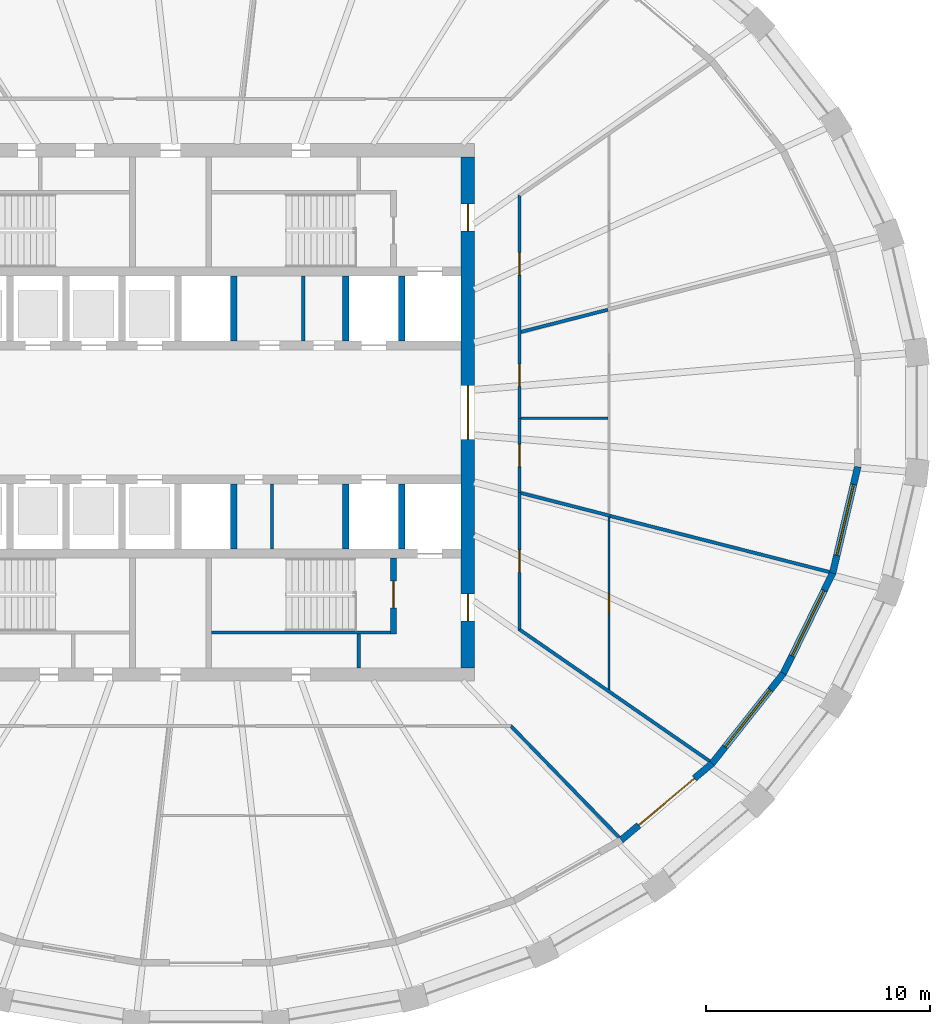
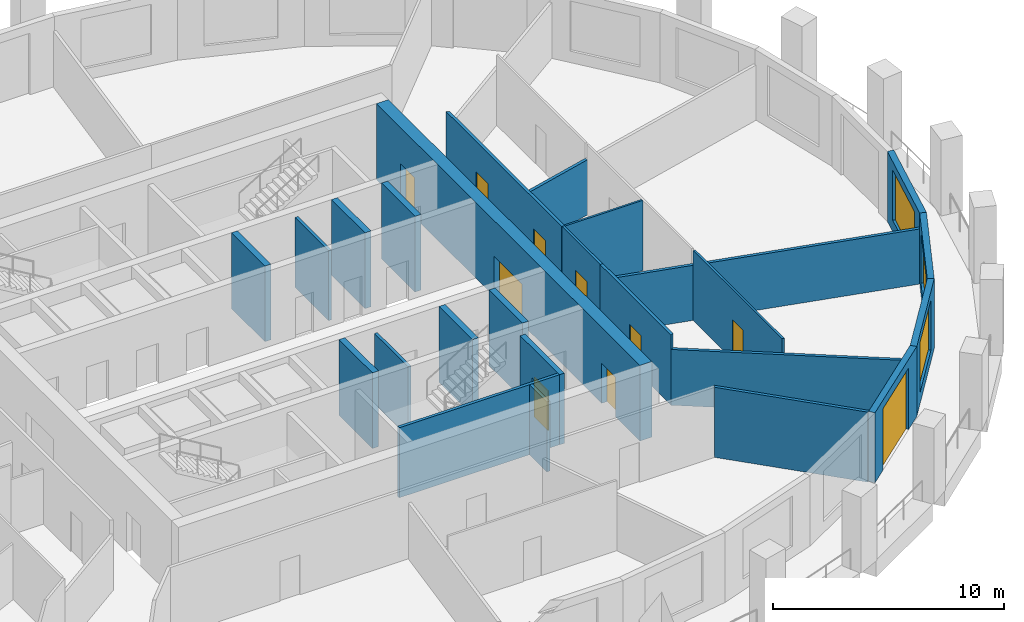
# One storey, part 5 of 11: 26 walls, 10 doors, 3 windows, 13 openings.
"""IFC4 building model written with IfcOpenShell, lengths in metres."""

from ifc_helpers import new_model, si_unit, direction, frame, frame_2d, origin, place, context, subcontext, project, spatial, polyline, rectangle, outline, extrude, material, layer, layer_set, type_object, element, fill, save


model = new_model("IFC4")

# Units and contexts
model_context = context("Model", 3, precision=1e-05, world=origin(), true_north=direction((0.0, 1.0)))
body_context = subcontext(model_context, "Body", "Model", "MODEL_VIEW")
ifc_project = project(units=[si_unit("LENGTHUNIT", "METRE"), si_unit("AREAUNIT", "SQUARE_METRE"), si_unit("VOLUMEUNIT", "CUBIC_METRE"), si_unit("PLANEANGLEUNIT", "RADIAN"), si_unit("MASSUNIT", "GRAM", prefix="KILO")], contexts=[model_context])

# Site, building, storey
site_placement = place(None, origin())
site = spatial("IfcSite", under=ifc_project, at=site_placement, CompositionType="ELEMENT")
building_placement = place(site_placement, origin())
building = spatial("IfcBuilding", under=site, at=building_placement, Name="Halqa Exchange Tower", CompositionType="ELEMENT")
storey_placement = place(building_placement, frame((0.0, 0.0, 218.89990234375)))
storey = spatial("IfcBuildingStorey", under=building, at=storey_placement, Name="L50", CompositionType="ELEMENT", Elevation=218.89990234375)

# Wall
ifc_material_1 = material(Name="Fire-rated gypsum board")
ifc_layer_1 = layer(ifc_material_1, 0.14990234375)
ifc_layer_set_1 = layer_set([ifc_layer_1], Name="Fire-rated gypsum board")
wall_type_1 = type_object("IfcWallType", Name="Fire partition EI 60 150", PredefinedType="PARTITIONING", material=ifc_layer_set_1)
wall_1_placement = place(storey_placement, frame((13.9677734375, -9.66748046875, 0.0), z_axis=(0.0, 0.0, 1.0), x_axis=(0.822219313141, -0.56917080134, 0.0)))
element("IfcWall", 1, at=wall_1_placement, inside=storey, type_object=wall_type_1, Name="L50-PWL-026", PredefinedType="PARTITIONING", context=body_context, shape_type="SweptSolid", body=[
    extrude(outline(polyline([(0.000244140625, -0.074951171875), (1.724365234375, -0.074951171875), (3.448486328125, -0.074951171875), (5.172607421875, -0.074951171875), (6.896728515625, -0.074951171875), (8.620849609375, -0.074951171875), (10.344970703125, -0.074951171875), (10.365234375, 0.000244140625), (10.36962890625, 0.066162109375), (10.36962890625, 0.074951171875), (8.511474609375, 0.074951171875), (6.653076171875, 0.074951171875), (4.794921875, 0.074951171875), (4.79248046875, 0.0732421875), (4.791259765625, 0.074951171875), (3.220458984375, 0.074951171875), (1.649658203125, 0.074951171875), (0.07861328125, 0.074951171875), (0.039306640625, -0.000244140625), (0.000244140625, -0.074951171875)])), origin(), (0.0, 0.0, 1.0), 2.947021484375),
])

# Wall, opening, door
wall_2_placement = place(storey_placement, frame((14.0, -3.580078125, 0.0), z_axis=(0.0, 0.0, 1.0), x_axis=(0.0, -1.0, 0.0)))
wall_2 = element("IfcWall", 2, at=wall_2_placement, inside=storey, type_object=wall_type_1, Name="L50-PWL-027", PredefinedType="PARTITIONING", context=body_context, shape_type="SweptSolid", body=[
    extrude(outline(polyline([(6.149169921875, -0.074951171875), (6.149169921875, -0.074951171875), (6.070556640625, 0.074951171875), (4.552978515625, 0.074951171875), (3.035400390625, 0.074951171875), (1.517578125, 0.074951171875), (0.0, 0.074951171875), (0.0, -0.074951171875), (1.537353515625, -0.074951171875), (3.07470703125, -0.074951171875), (4.61181640625, -0.074951171875), (6.149169921875, -0.074951171875)])), origin(), (0.0, 0.0, 1.0), 3.7001953125),
])
opening_1_placement = place(wall_2_placement, frame((2.554931640625, 0.0, 0.0)))
opening_1 = element("IfcOpeningElement", 3, at=opening_1_placement, cuts=wall_2, Name="Opening 15-11", PredefinedType="OPENING", context=body_context, shape_type="SweptSolid", body=[
    extrude(rectangle(XDim=1.0, YDim=2.10009765625, at=frame_2d((0.5, 1.050048828125))), frame((0.0, 0.0869140625, 0.0), z_axis=(0.0, -1.0, 0.0), x_axis=(1.0, 0.0, 0.0)), (0.0, 0.0, 1.0), 0.173828125),
])
ifc_material_2 = material(Name="Steel fire door leaf", Category="steel")
door_type_1 = type_object("IfcDoorType", Name="Fire door FD30S 1000 x 2100", OperationType="SINGLE_SWING_LEFT", PredefinedType="DOOR", material=ifc_material_2)
door_1_placement = place(opening_1_placement, origin())
door_1 = element("IfcDoor", 4, at=door_1_placement, inside=storey, type_object=door_type_1, Name="L50-IDR-011", OperationType="SINGLE_SWING_LEFT", OverallHeight=2.10009765625, OverallWidth=1.0, PredefinedType="DOOR", context=body_context, shape_type="SweptSolid", body=[
    extrude(rectangle(XDim=1.0, YDim=2.10009765625, at=frame_2d((0.5, 1.050048828125))), frame((0.0, 0.02490234375, 0.0), z_axis=(0.0, -1.0, 0.0), x_axis=(1.0, 0.0, 0.0)), (0.0, 0.0, 1.0), 0.050048828125),
])
fill(opening_1, door_1)

# Wall
wall_3_placement = place(storey_placement, frame((14.041748046875, -3.590576171875, 0.0), z_axis=(0.0, 0.0, 1.0), x_axis=(0.968991510142, -0.247094017071, 0.0)))
element("IfcWall", 5, at=wall_3_placement, inside=storey, type_object=wall_type_1, Name="L50-PWL-028", PredefinedType="PARTITIONING", context=body_context, shape_type="SweptSolid", body=[
    extrude(outline(polyline([(4.131103515625, 0.074951171875), (4.014892578125, 0.074951171875), (4.01416015625, 0.07470703125), (4.01416015625, 0.074951171875), (2.676025390625, 0.074951171875), (1.338134765625, 0.074951171875), (0.0, 0.074951171875), (0.0, 0.073974609375), (0.01513671875, 0.0146484375), (0.029541015625, 0.0185546875), (0.053466796875, -0.074951171875), (1.41259765625, -0.074951171875), (2.77197265625, -0.074951171875), (4.131103515625, -0.074951171875), (4.131103515625, 0.074951171875)])), origin(), (0.0, 0.0, 1.0), 2.91015625),
])

# Wall, openings, doors
wall_4_placement = place(storey_placement, frame((14.0, -0.260009765625, 0.0), z_axis=(0.0, 0.0, 1.0), x_axis=(0.0, 1.0, 0.0)))
wall_4 = element("IfcWall", 6, at=wall_4_placement, inside=storey, type_object=wall_type_1, Name="L50-PWL-030", PredefinedType="PARTITIONING", context=body_context, shape_type="SweptSolid", body=[
    extrude(outline(polyline([(0.0, -0.074951171875), (1.982177734375, -0.074951171875), (3.96435546875, -0.074951171875), (5.946533203125, -0.074951171875), (7.9287109375, -0.074951171875), (9.91064453125, -0.074951171875), (9.9892578125, 0.074951171875), (9.9892578125, 0.074951171875), (7.991455078125, 0.074951171875), (5.99365234375, 0.074951171875), (3.99560546875, 0.074951171875), (1.997802734375, 0.074951171875), (0.0, 0.074951171875), (0.0, -0.074951171875)])), origin(), (0.0, 0.0, 1.0), 3.7001953125),
])
opening_2_placement = place(wall_4_placement, frame((1.419921875, 0.0, 0.0)))
opening_2 = element("IfcOpeningElement", 7, at=opening_2_placement, cuts=wall_4, Name="Opening 15-13", PredefinedType="OPENING", context=body_context, shape_type="SweptSolid", body=[
    extrude(rectangle(XDim=1.0, YDim=2.10009765625, at=frame_2d((0.5, 1.050048828125))), frame((0.0, 0.0869140625, 0.0), z_axis=(0.0, -1.0, 0.0), x_axis=(1.0, 0.0, 0.0)), (0.0, 0.0, 1.0), 0.173828125),
])
opening_3_placement = place(wall_4_placement, frame((6.39501953125, 0.0, 0.0)))
opening_3 = element("IfcOpeningElement", 8, at=opening_3_placement, cuts=wall_4, Name="Opening 15-14", PredefinedType="OPENING", context=body_context, shape_type="SweptSolid", body=[
    extrude(rectangle(XDim=1.0, YDim=2.10009765625, at=frame_2d((0.5, 1.050048828125))), frame((0.0, 0.0869140625, 0.0), z_axis=(0.0, -1.0, 0.0), x_axis=(1.0, 0.0, 0.0)), (0.0, 0.0, 1.0), 0.173828125),
])
door_2_placement = place(opening_2_placement, frame((1.0, 0.0, 0.0), z_axis=(0.0, 0.0, 1.0), x_axis=(-1.0, 0.0, 0.0)))
door_2 = element("IfcDoor", 9, at=door_2_placement, inside=storey, type_object=door_type_1, Name="L50-IDR-013", OperationType="SINGLE_SWING_RIGHT", OverallHeight=2.10009765625, OverallWidth=1.0, PredefinedType="DOOR", context=body_context, shape_type="SweptSolid", body=[
    extrude(rectangle(XDim=1.0, YDim=2.10009765625, at=frame_2d((0.5, 1.050048828125))), frame((0.0, 0.02490234375, 0.0), z_axis=(0.0, -1.0, 0.0), x_axis=(1.0, 0.0, 0.0)), (0.0, 0.0, 1.0), 0.050048828125),
])
fill(opening_2, door_2)
door_3_placement = place(opening_3_placement, frame((1.0, 0.0, 0.0), z_axis=(0.0, 0.0, 1.0), x_axis=(-1.0, 0.0, 0.0)))
door_3 = element("IfcDoor", 10, at=door_3_placement, inside=storey, type_object=door_type_1, Name="L50-IDR-014", OperationType="SINGLE_SWING_LEFT", OverallHeight=2.10009765625, OverallWidth=1.0, PredefinedType="DOOR", context=body_context, shape_type="SweptSolid", body=[
    extrude(rectangle(XDim=1.0, YDim=2.10009765625, at=frame_2d((0.5, 1.050048828125))), frame((0.0, 0.02490234375, 0.0), z_axis=(0.0, -1.0, 0.0), x_axis=(1.0, 0.0, 0.0)), (0.0, 0.0, 1.0), 0.050048828125),
])
fill(opening_3, door_3)

# Walls
wall_5_placement = place(storey_placement, frame((14.056640625, 3.594482421875, 0.0), z_axis=(0.0, 0.0, 1.0), x_axis=(0.968992302027, 0.247090911634, 0.0)))
element("IfcWall", 11, at=wall_5_placement, inside=storey, type_object=wall_type_1, Name="L50-PWL-032", PredefinedType="PARTITIONING", context=body_context, shape_type="SweptSolid", body=[
    extrude(outline(polyline([(0.0, -0.074951171875), (1.99951171875, -0.074951171875), (3.998779296875, -0.074951171875), (3.999267578125, -0.073486328125), (4.005126953125, -0.074951171875), (4.0205078125, -0.074951171875), (4.0205078125, 0.074951171875), (2.029296875, 0.074951171875), (0.0380859375, 0.074951171875), (0.0, -0.07421875), (0.0, -0.074951171875)])), origin(), (0.0, 0.0, 1.0), 2.91015625),
])
wall_6_placement = place(storey_placement, frame((18.0419921875, -4.620849609375, 0.0), z_axis=(0.0, 0.0, 1.0), x_axis=(0.968898746972, -0.247457507698, 0.0)))
element("IfcWall", 12, at=wall_6_placement, inside=storey, type_object=wall_type_1, Name="L50-PWL-035", PredefinedType="PARTITIONING", context=body_context, shape_type="SweptSolid", body=[
    extrude(outline(polyline([(0.02734375, -0.074951171875), (1.705810546875, -0.074951171875), (3.384521484375, -0.074951171875), (5.06298828125, -0.074951171875), (6.741455078125, -0.074951171875), (8.419921875, -0.074951171875), (10.098388671875, -0.074951171875), (10.112548828125, -0.0078125), (10.112548828125, 0.074951171875), (8.42724609375, 0.074951171875), (6.74169921875, 0.074951171875), (5.056396484375, 0.074951171875), (3.370849609375, 0.074951171875), (1.685546875, 0.074951171875), (0.000244140625, 0.074951171875), (0.000244140625, -0.04541015625), (0.018798828125, -0.040771484375), (0.02734375, -0.074951171875)])), origin(), (0.0, 0.0, 1.0), 2.91015625),
])
wall_7_placement = place(storey_placement, frame((18.459228515625, -18.973388671875, 0.0), z_axis=(0.0, 0.0, 1.0), x_axis=(-0.697374409368, 0.716707006494, 0.0)))
element("IfcWall", 13, at=wall_7_placement, inside=storey, type_object=wall_type_1, Name="L50-PWL-039", PredefinedType="PARTITIONING", context=body_context, shape_type="SweptSolid", body=[
    extrude(outline(polyline([(0.0, -0.074951171875), (1.74267578125, -0.074951171875), (3.4853515625, -0.074951171875), (5.22802734375, -0.074951171875), (6.970947265625, -0.074951171875), (6.939208984375, 0.0), (6.907470703125, 0.074951171875), (5.18701171875, 0.074951171875), (3.46630859375, 0.074951171875), (1.745849609375, 0.074951171875), (0.025146484375, 0.074951171875), (0.0048828125, -0.002197265625), (0.0, -0.0693359375), (0.0, -0.074951171875)])), origin(), (0.0, 0.0, 1.0), 3.7001953125),
])

# Wall, opening, door
ifc_material_3 = material(Name="Fire-rated glazing", Category="glass")
ifc_layer_2 = layer(ifc_material_3, 0.1201171875)
ifc_layer_set_2 = layer_set([ifc_layer_2], Name="Fire-rated glazing")
wall_type_2 = type_object("IfcWallType", Name="Glazed fire partition EI 60 120", PredefinedType="PARTITIONING", material=ifc_layer_set_2)
wall_8_placement = place(storey_placement, frame((14.0, -0.260009765625, 0.0), z_axis=(0.0, 0.0, 1.0), x_axis=(0.0, -1.0, 0.0)))
wall_8 = element("IfcWall", 14, at=wall_8_placement, inside=storey, type_object=wall_type_2, Name="L50-PWL-029", PredefinedType="PARTITIONING", context=body_context, shape_type="SweptSolid", body=[
    extrude(rectangle(XDim=3.320068359375, YDim=0.1201171875, at=frame_2d((1.66015625, 0.0))), origin(), (0.0, 0.0, 1.0), 3.7001953125),
])
opening_4_placement = place(wall_8_placement, frame((1.159912109375, 0.0, 0.0)))
opening_4 = element("IfcOpeningElement", 15, at=opening_4_placement, cuts=wall_8, Name="Opening 15-12", PredefinedType="OPENING", context=body_context, shape_type="SweptSolid", body=[
    extrude(rectangle(XDim=1.0, YDim=2.10009765625, at=frame_2d((0.5, 1.050048828125))), frame((0.0, 0.072021484375, 0.0), z_axis=(0.0, -1.0, 0.0), x_axis=(1.0, 0.0, 0.0)), (0.0, 0.0, 1.0), 0.14404296875),
])
door_4_placement = place(opening_4_placement, origin())
door_4 = element("IfcDoor", 16, at=door_4_placement, inside=storey, type_object=door_type_1, Name="L50-IDR-012", OperationType="SINGLE_SWING_LEFT", OverallHeight=2.10009765625, OverallWidth=1.0, PredefinedType="DOOR", context=body_context, shape_type="SweptSolid", body=[
    extrude(rectangle(XDim=1.0, YDim=2.10009765625, at=frame_2d((0.5, 1.050048828125))), frame((0.0, 0.02490234375, 0.0), z_axis=(0.0, -1.0, 0.0), x_axis=(1.0, 0.0, 0.0)), (0.0, 0.0, 1.0), 0.050048828125),
])
fill(opening_4, door_4)

# Wall
ifc_material_4 = material(Name="Gypsum board")
ifc_layer_3 = layer(ifc_material_4, 0.10009765625)
ifc_layer_set_3 = layer_set([ifc_layer_3], Name="Gypsum board")
wall_type_3 = type_object("IfcWallType", Name="Partition 100 gypsum", PredefinedType="PARTITIONING", material=ifc_layer_set_3)
wall_9_placement = place(storey_placement, frame((14.060546875, -0.260009765625, 0.0), z_axis=(0.0, 0.0, 1.0), x_axis=(1.0, 0.0, 0.0)))
element("IfcWall", 17, at=wall_9_placement, inside=storey, type_object=wall_type_3, Name="L50-PWL-031", PredefinedType="PARTITIONING", context=body_context, shape_type="SweptSolid", body=[
    extrude(outline(polyline([(3.889404296875, 0.050048828125), (1.951904296875, 0.050048828125), (0.014404296875, 0.050048828125), (0.014404296875, 0.0), (0.0, 0.0), (0.0, -0.050048828125), (1.94482421875, -0.050048828125), (3.889404296875, -0.050048828125), (3.889404296875, 0.050048828125)])), origin(), (0.0, 0.0, 1.0), 3.7001953125),
])

# Wall, opening, door
wall_10_placement = place(storey_placement, frame((18.0, -4.6650390625, 0.0), z_axis=(0.0, 0.0, 1.0), x_axis=(0.0, -1.0, 0.0)))
wall_10 = element("IfcWall", 18, at=wall_10_placement, inside=storey, type_object=wall_type_3, Name="L50-PWL-034", PredefinedType="PARTITIONING", context=body_context, shape_type="SweptSolid", body=[
    extrude(outline(polyline([(0.0, -0.050048828125), (1.9169921875, -0.050048828125), (3.833984375, -0.050048828125), (5.7509765625, -0.050048828125), (7.66796875, -0.050048828125), (7.737060546875, 0.0498046875), (7.737060546875, 0.050048828125), (5.8115234375, 0.050048828125), (3.88623046875, 0.050048828125), (1.960693359375, 0.050048828125), (0.03515625, 0.050048828125), (0.02880859375, 0.02490234375), (0.0, 0.032470703125), (0.0, 0.03076171875), (0.01904296875, 0.02587890625), (0.0, -0.04833984375), (0.0, -0.050048828125)])), origin(), (0.0, 0.0, 1.0), 3.7001953125),
])
opening_5_placement = place(wall_10_placement, frame((3.419921875, 0.0, 0.0)))
opening_5 = element("IfcOpeningElement", 19, at=opening_5_placement, cuts=wall_10, Name="Opening 15-20", PredefinedType="OPENING", context=body_context, shape_type="SweptSolid", body=[
    extrude(rectangle(XDim=0.89990234375, YDim=2.10009765625, at=frame_2d((0.449951171875, 1.050048828125))), frame((0.0, 0.06201171875, 0.0), z_axis=(0.0, -1.0, 0.0), x_axis=(1.0, 0.0, 0.0)), (0.0, 0.0, 1.0), 0.1240234375),
])
ifc_material_5 = material(Name="Timber door leaf", Category="wood")
door_type_2 = type_object("IfcDoorType", Name="Door 900 x 2100", OperationType="SINGLE_SWING_LEFT", PredefinedType="DOOR", material=ifc_material_5)
door_5_placement = place(opening_5_placement, frame((0.89990234375, 0.0, 0.0), z_axis=(0.0, 0.0, 1.0), x_axis=(-1.0, 0.0, 0.0)))
door_5 = element("IfcDoor", 20, at=door_5_placement, inside=storey, type_object=door_type_2, Name="L50-IDR-020", OperationType="SINGLE_SWING_LEFT", OverallHeight=2.10009765625, OverallWidth=0.89990234375, PredefinedType="DOOR", context=body_context, shape_type="SweptSolid", body=[
    extrude(rectangle(XDim=0.89990234375, YDim=2.10009765625, at=frame_2d((0.449951171875, 1.050048828125))), frame((0.0, 0.02490234375, 0.0), z_axis=(0.0, -1.0, 0.0), x_axis=(1.0, 0.0, 0.0)), (0.0, 0.0, 1.0), 0.050048828125),
])
fill(opening_5, door_5)

# Walls
ifc_layer_4 = layer(ifc_material_4, 0.14990234375)
ifc_layer_set_4 = layer_set([ifc_layer_4], Name="Gypsum board")
wall_type_4 = type_object("IfcWallType", Name="Penthouse riser wall 150 gypsum", PredefinedType="PARTITIONING", material=ifc_layer_set_4)
wall_11_placement = place(storey_placement, frame((6.824951171875, -11.39990234375, 0.0), z_axis=(0.0, 0.0, 1.0), x_axis=(0.0, 1.0, 0.0)))
element("IfcWall", 21, at=wall_11_placement, inside=storey, type_object=wall_type_4, Name="Firefighting lobby west wall S", PredefinedType="PARTITIONING", context=body_context, shape_type="SweptSolid", body=[
    extrude(rectangle(XDim=1.5, YDim=0.14990234375, at=frame_2d((0.75, 0.0))), origin(), (0.0, 0.0, 1.0), 3.7001953125),
])
for number, where, z_axis, x_axis, name in (
    (22, (4.35009765625, 3.199951171875, 0.0), (0.0, 0.0, 1.0), (0.0, 1.0, 0.0), "Freed bay partition NE4.350"),
    (23, (2.949951171875, -6.10009765625, 0.0), (0.0, 0.0, 1.0), (0.0, 1.0, 0.0), "Freed bay partition SE2.950"),
):
    element("IfcWall", number, at=place(storey_placement, frame(where, z_axis=z_axis, x_axis=x_axis)), inside=storey, type_object=wall_type_4, Name=name, PredefinedType="PARTITIONING", context=body_context, shape_type="SweptSolid", body=[
        extrude(rectangle(XDim=2.900146484375, YDim=0.14990234375, at=frame_2d((1.4501953125, 0.0))), origin(), (0.0, 0.0, 1.0), 3.7001953125),
    ])
ifc_material_6 = material(Name="Concrete C60/75", Category="concrete")
ifc_layer_5 = layer(ifc_material_6, 0.300048828125)
ifc_layer_set_5 = layer_set([ifc_layer_5], Name="Concrete C60/75")
wall_type_5 = type_object("IfcWallType", Name="RC core wall 300", PredefinedType="SHEAR", material=ifc_layer_set_5)
for number, where, z_axis, x_axis, name in (
    (24, (1.25, 3.199951171875, 0.0), (0.0, 0.0, 1.0), (0.0, 1.0, 0.0), "Shaft divider N5"),
    (25, (6.25, 3.199951171875, 0.0), (0.0, 0.0, 1.0), (0.0, 1.0, 0.0), "Shaft divider N7"),
    (26, (8.75, 3.199951171875, 0.0), (0.0, 0.0, 1.0), (0.0, 1.0, 0.0), "Shaft divider N8"),
    (27, (1.25, -6.10009765625, 0.0), (0.0, 0.0, 1.0), (0.0, 1.0, 0.0), "Shaft divider S5"),
    (28, (6.25, -6.10009765625, 0.0), (0.0, 0.0, 1.0), (0.0, 1.0, 0.0), "Shaft divider S7"),
    (29, (8.75, -6.10009765625, 0.0), (0.0, 0.0, 1.0), (0.0, 1.0, 0.0), "Shaft divider S8"),
):
    element("IfcWall", number, at=place(storey_placement, frame(where, z_axis=z_axis, x_axis=x_axis)), inside=storey, type_object=wall_type_5, Name=name, PredefinedType="SHEAR", context=body_context, shape_type="SweptSolid", body=[
        extrude(rectangle(XDim=2.900146484375, YDim=0.300048828125, at=frame_2d((1.4501953125, 0.0))), origin(), (0.0, 0.0, 1.0), 4.0),
    ])

# Wall, openings, doors
ifc_material_7 = material(Name="Concrete C70/85", Category="concrete")
ifc_layer_6 = layer(ifc_material_7, 0.60009765625)
ifc_layer_set_6 = layer_set([ifc_layer_6], Name="Concrete C70/85")
wall_type_6 = type_object("IfcWallType", Name="RC core wall 600 C70/85", PredefinedType="SHEAR", material=ifc_layer_set_6)
wall_12_placement = place(storey_placement, frame((11.699951171875, -11.39990234375, 0.0), z_axis=(0.0, 0.0, 1.0), x_axis=(0.0, 1.0, 0.0)))
wall_12 = element("IfcWall", 30, at=wall_12_placement, inside=storey, type_object=wall_type_6, Name="Core wall east", PredefinedType="SHEAR", context=body_context, shape_type="SweptSolid", body=[
    extrude(rectangle(XDim=22.7998046875, YDim=0.60009765625, at=frame_2d((11.39990234375, 0.0))), origin(), (0.0, 0.0, 1.0), 4.0),
])
opening_6_placement = place(wall_12_placement, frame((10.199951171875, 0.0, 0.0)))
opening_6 = element("IfcOpeningElement", 31, at=opening_6_placement, cuts=wall_12, Name="Opening T15-C14", PredefinedType="OPENING", context=body_context, shape_type="SweptSolid", body=[
    extrude(rectangle(XDim=2.39990234375, YDim=2.10009765625, at=frame_2d((1.199951171875, 1.050048828125))), frame((0.0, 0.31201171875, 0.0), z_axis=(0.0, -1.0, 0.0), x_axis=(1.0, 0.0, 0.0)), (0.0, 0.0, 1.0), 0.6240234375),
])
opening_7_placement = place(wall_12_placement, frame((19.5, 0.0, 0.0)))
opening_7 = element("IfcOpeningElement", 32, at=opening_7_placement, cuts=wall_12, Name="Opening T15-C19", PredefinedType="OPENING", context=body_context, shape_type="SweptSolid", body=[
    extrude(rectangle(XDim=1.199951171875, YDim=2.10009765625, at=frame_2d((0.60009765625, 1.050048828125))), frame((0.0, 0.31201171875, 0.0), z_axis=(0.0, -1.0, 0.0), x_axis=(1.0, 0.0, 0.0)), (0.0, 0.0, 1.0), 0.6240234375),
])
opening_8_placement = place(wall_12_placement, frame((2.10009765625, 0.0, 0.0)))
opening_8 = element("IfcOpeningElement", 33, at=opening_8_placement, cuts=wall_12, Name="Opening T15-C20", PredefinedType="OPENING", context=body_context, shape_type="SweptSolid", body=[
    extrude(rectangle(XDim=1.199951171875, YDim=2.10009765625, at=frame_2d((0.60009765625, 1.050048828125))), frame((0.0, 0.31201171875, 0.0), z_axis=(0.0, -1.0, 0.0), x_axis=(1.0, 0.0, 0.0)), (0.0, 0.0, 1.0), 0.6240234375),
])
door_type_3 = type_object("IfcDoorType", Name="Firefighting lobby door FD90 1200 x 2100", OperationType="SINGLE_SWING_RIGHT", PredefinedType="DOOR", material=ifc_material_2)
door_6_placement = place(opening_7_placement, origin())
door_6 = element("IfcDoor", 34, at=door_6_placement, inside=storey, type_object=door_type_3, Name="Firefighting lobby door", OperationType="SINGLE_SWING_RIGHT", OverallHeight=2.10009765625, OverallWidth=1.199951171875, PredefinedType="DOOR", context=body_context, shape_type="SweptSolid", body=[
    extrude(rectangle(XDim=1.199951171875, YDim=2.10009765625, at=frame_2d((0.60009765625, 1.050048828125))), frame((0.0, 0.02490234375, 0.0), z_axis=(0.0, -1.0, 0.0), x_axis=(1.0, 0.0, 0.0)), (0.0, 0.0, 1.0), 0.050048828125),
])
fill(opening_7, door_6)
door_7_placement = place(opening_8_placement, origin())
door_7 = element("IfcDoor", 35, at=door_7_placement, inside=storey, type_object=door_type_3, Name="Firefighting lobby door", OperationType="SINGLE_SWING_LEFT", OverallHeight=2.10009765625, OverallWidth=1.199951171875, PredefinedType="DOOR", context=body_context, shape_type="SweptSolid", body=[
    extrude(rectangle(XDim=1.199951171875, YDim=2.10009765625, at=frame_2d((0.60009765625, 1.050048828125))), frame((0.0, 0.02490234375, 0.0), z_axis=(0.0, -1.0, 0.0), x_axis=(1.0, 0.0, 0.0)), (0.0, 0.0, 1.0), 0.050048828125),
])
fill(opening_8, door_7)
door_type_4 = type_object("IfcDoorType", Name="Lobby double door FD60 2400 x 2100", OperationType="DOUBLE_DOOR_SINGLE_SWING", PredefinedType="DOOR", material=ifc_material_2)
door_8_placement = place(opening_6_placement, origin())
door_8 = element("IfcDoor", 36, at=door_8_placement, inside=storey, type_object=door_type_4, Name="Lift lobby double door", OperationType="DOUBLE_DOOR_SINGLE_SWING", OverallHeight=2.10009765625, OverallWidth=2.39990234375, PredefinedType="DOOR", context=body_context, shape_type="SweptSolid", body=[
    extrude(rectangle(XDim=2.39990234375, YDim=2.10009765625, at=frame_2d((1.199951171875, 1.050048828125))), frame((0.0, 0.02490234375, 0.0), z_axis=(0.0, -1.0, 0.0), x_axis=(1.0, 0.0, 0.0)), (0.0, 0.0, 1.0), 0.050048828125),
])
fill(opening_6, door_8)

# Wall
ifc_material_8 = material(Name="Concrete C30/37", Category="concrete")
ifc_layer_7 = layer(ifc_material_8, 0.14990234375)
ifc_layer_set_7 = layer_set([ifc_layer_7], Name="Concrete C30/37")
wall_type_7 = type_object("IfcWallType", Name="RC stair wall 150 C30/37", PredefinedType="SHEAR", material=ifc_layer_set_7)
wall_13_placement = place(storey_placement, frame((0.25, -9.824951171875, 0.0), z_axis=(0.0, 0.0, 1.0), x_axis=(1.0, 0.0, 0.0)))
element("IfcWall", 37, at=wall_13_placement, inside=storey, type_object=wall_type_7, Name="Stair ST2 north wall S", PredefinedType="SHEAR", context=body_context, shape_type="SweptSolid", body=[
    extrude(rectangle(XDim=8.0, YDim=0.14990234375, at=frame_2d((4.0, 0.0))), origin(), (0.0, 0.0, 1.0), 3.7001953125),
])

# Wall, opening, door
ifc_layer_8 = layer(ifc_material_8, 0.25)
ifc_layer_set_8 = layer_set([ifc_layer_8], Name="Concrete C30/37")
wall_type_8 = type_object("IfcWallType", Name="RC stair wall 250 C30/37", PredefinedType="SHEAR", material=ifc_layer_set_8)
wall_14_placement = place(storey_placement, frame((8.375, -9.89990234375, 0.0), z_axis=(0.0, 0.0, 1.0), x_axis=(0.0, 1.0, 0.0)))
wall_14 = element("IfcWall", 38, at=wall_14_placement, inside=storey, type_object=wall_type_8, Name="Stair ST2 east wall S", PredefinedType="SHEAR", context=body_context, shape_type="SweptSolid", body=[
    extrude(rectangle(XDim=3.39990234375, YDim=0.25, at=frame_2d((1.699951171875, 0.0))), origin(), (0.0, 0.0, 1.0), 3.7001953125),
])
opening_9_placement = place(wall_14_placement, frame((1.175048828125, 0.0, 0.0)))
opening_9 = element("IfcOpeningElement", 39, at=opening_9_placement, cuts=wall_14, Name="Opening T15-C18", PredefinedType="OPENING", context=body_context, shape_type="SweptSolid", body=[
    extrude(rectangle(XDim=1.199951171875, YDim=2.10009765625, at=frame_2d((0.60009765625, 1.050048828125))), frame((0.0, 0.136962890625, 0.0), z_axis=(0.0, -1.0, 0.0), x_axis=(1.0, 0.0, 0.0)), (0.0, 0.0, 1.0), 0.27392578125),
])
door_type_5 = type_object("IfcDoorType", Name="Stair door FD90 1200 x 2100", OperationType="SINGLE_SWING_LEFT", PredefinedType="DOOR", material=ifc_material_2)
door_9_placement = place(opening_9_placement, origin())
door_9 = element("IfcDoor", 40, at=door_9_placement, inside=storey, type_object=door_type_5, Name="Stair door ST4", OperationType="SINGLE_SWING_RIGHT", OverallHeight=2.10009765625, OverallWidth=1.199951171875, PredefinedType="DOOR", context=body_context, shape_type="SweptSolid", body=[
    extrude(rectangle(XDim=1.199951171875, YDim=2.10009765625, at=frame_2d((0.60009765625, 1.050048828125))), frame((0.0, 0.02490234375, 0.0), z_axis=(0.0, -1.0, 0.0), x_axis=(1.0, 0.0, 0.0)), (0.0, 0.0, 1.0), 0.050048828125),
])
fill(opening_9, door_9)

ifc_material_9 = material(Name="Limestone cladding", Category="masonry")
ifc_layer_9 = layer(ifc_material_9, 0.0400390625)
ifc_material_10 = material(Name="Ventilated cavity")
ifc_layer_10 = layer(ifc_material_10, 0.030029296875, ventilated=True)
ifc_material_11 = material(Name="Mineral wool insulation")
ifc_layer_11 = layer(ifc_material_11, 0.10009765625)
ifc_layer_12 = layer(ifc_material_8, 0.10009765625)
ifc_material_12 = material(Name="Internal plaster")
ifc_layer_13 = layer(ifc_material_12, 0.030029296875)
ifc_layer_set_9 = layer_set([ifc_layer_9, ifc_layer_10, ifc_layer_11, ifc_layer_12, ifc_layer_13], Name="Stone-faced insulated wall 300")
wall_type_9 = type_object("IfcWallType", Name="Stone-faced insulated wall 300", PredefinedType="STANDARD", material=ifc_layer_set_9)
wall_15_placement = place(storey_placement, frame((18.54345703125, -19.09228515625, 0.0), z_axis=(0.0, 0.0, 1.0), x_axis=(0.764397795062, 0.644744919255, 0.0)))
wall_15 = element("IfcWall", 41, at=wall_15_placement, inside=storey, type_object=wall_type_9, Name="Glass-line wall 28", PredefinedType="STANDARD", context=body_context, shape_type="SweptSolid", body=[
    extrude(outline(polyline([(-0.01416015625, -0.14990234375), (5.3203125, -0.14990234375), (5.2900390625, 0.14990234375), (0.01416015625, 0.14990234375), (-0.01416015625, -0.14990234375)])), origin(), (0.0, 0.0, 1.0), 3.7001953125),
])
opening_10_placement = place(wall_15_placement, frame((1.027587890625, 0.0, 0.0)))
opening_10 = element("IfcOpeningElement", 42, at=opening_10_placement, cuts=wall_15, Name="Opening LG-F3-07", PredefinedType="OPENING", context=body_context, shape_type="SweptSolid", body=[
    extrude(rectangle(XDim=3.25, YDim=3.25, at=frame_2d((1.625, 1.625))), frame((0.0, 0.162109375, 0.0), z_axis=(0.0, -1.0, 0.0), x_axis=(1.0, 0.0, 0.0)), (0.0, 0.0, 1.0), 0.323974609375),
])
ifc_material_13 = material(Name="Clear low-emissivity glass in aluminium frame", Category="aluminium")
door_type_6 = type_object("IfcDoorType", Name="Glazed sliding loggia door 3250 x 3250", OperationType="DOUBLE_DOOR_SLIDING", PredefinedType="DOOR", material=ifc_material_13)
door_10_placement = place(opening_10_placement, origin())
door_10 = element("IfcDoor", 43, at=door_10_placement, inside=storey, type_object=door_type_6, Name="Loggia door 7", OperationType="DOUBLE_DOOR_SLIDING", OverallHeight=3.25, OverallWidth=3.25, PredefinedType="DOOR", context=body_context, shape_type="SweptSolid", body=[
    extrude(rectangle(XDim=3.25, YDim=3.25, at=frame_2d((1.625, 1.625))), frame((0.0, 0.02490234375, 0.0), z_axis=(0.0, -1.0, 0.0), x_axis=(1.0, 0.0, 0.0)), (0.0, 0.0, 1.0), 0.050048828125),
])
fill(opening_10, door_10)

# Wall, opening, window
wall_16_placement = place(storey_placement, frame((22.5986328125, -15.671875, 0.0), z_axis=(0.0, 0.0, 1.0), x_axis=(0.621017151557, 0.783796974651, 0.0)))
wall_16 = element("IfcWall", 44, at=wall_16_placement, inside=storey, type_object=wall_type_9, Name="Glass-line wall 29", PredefinedType="STANDARD", context=body_context, shape_type="SweptSolid", body=[
    extrude(outline(polyline([(-0.01513671875, -0.14990234375), (5.14990234375, -0.14990234375), (5.11767578125, 0.14990234375), (0.01513671875, 0.14990234375), (-0.01513671875, -0.14990234375)])), origin(), (0.0, 0.0, 1.0), 3.7001953125),
])
opening_11_placement = place(wall_16_placement, frame((0.94189453125, 0.0, 0.60009765625)))
opening_11 = element("IfcOpeningElement", 45, at=opening_11_placement, cuts=wall_16, Name="Opening W-F3-29", PredefinedType="OPENING", context=body_context, shape_type="SweptSolid", body=[
    extrude(rectangle(XDim=3.25, YDim=2.64990234375, at=frame_2d((1.625, 1.324951171875))), frame((0.0, 0.162109375, 0.0), z_axis=(0.0, -1.0, 0.0), x_axis=(1.0, 0.0, 0.0)), (0.0, 0.0, 1.0), 0.323974609375),
])
window_type = type_object("IfcWindowType", Name="Fixed clear glazed window 3250 x 2650", PartitioningType="TRIPLE_PANEL_VERTICAL", PredefinedType="WINDOW", material=ifc_material_13)
window_1_placement = place(opening_11_placement, origin())
window_1 = element("IfcWindow", 46, at=window_1_placement, inside=storey, type_object=window_type, Name="Window 3", OverallHeight=2.64990234375, OverallWidth=3.25, PartitioningType="TRIPLE_PANEL_VERTICAL", PredefinedType="WINDOW", context=body_context, shape_type="SweptSolid", body=[
    extrude(rectangle(XDim=3.25, YDim=2.64990234375, at=frame_2d((1.625, 1.324951171875))), frame((0.0, 0.030029296875, 0.0), z_axis=(0.0, -1.0, 0.0), x_axis=(1.0, 0.0, 0.0)), (0.0, 0.0, 1.0), 0.06005859375),
])
fill(opening_11, window_1)

wall_17_placement = place(storey_placement, frame((25.786865234375, -11.64794921875, 0.0), z_axis=(0.0, 0.0, 1.0), x_axis=(0.440795186599, 0.897607711348, 0.0)))
wall_17 = element("IfcWall", 47, at=wall_17_placement, inside=storey, type_object=wall_type_9, Name="Glass-line wall 30", PredefinedType="STANDARD", context=body_context, shape_type="SweptSolid", body=[
    extrude(outline(polyline([(-0.01611328125, -0.14990234375), (5.0009765625, -0.14990234375), (4.96728515625, 0.14990234375), (0.01611328125, 0.14990234375), (-0.01611328125, -0.14990234375)])), origin(), (0.0, 0.0, 1.0), 3.7001953125),
])
opening_12_placement = place(wall_17_placement, frame((0.8671875, 0.0, 0.60009765625)))
opening_12 = element("IfcOpeningElement", 48, at=opening_12_placement, cuts=wall_17, Name="Opening W-F3-30", PredefinedType="OPENING", context=body_context, shape_type="SweptSolid", body=[
    extrude(rectangle(XDim=3.25, YDim=2.64990234375, at=frame_2d((1.625, 1.324951171875))), frame((0.0, 0.162109375, 0.0), z_axis=(0.0, -1.0, 0.0), x_axis=(1.0, 0.0, 0.0)), (0.0, 0.0, 1.0), 0.323974609375),
])
window_2_placement = place(opening_12_placement, origin())
window_2 = element("IfcWindow", 49, at=window_2_placement, inside=storey, type_object=window_type, Name="Window 3", OverallHeight=2.64990234375, OverallWidth=3.25, PartitioningType="TRIPLE_PANEL_VERTICAL", PredefinedType="WINDOW", context=body_context, shape_type="SweptSolid", body=[
    extrude(rectangle(XDim=3.25, YDim=2.64990234375, at=frame_2d((1.625, 1.324951171875))), frame((0.0, 0.030029296875, 0.0), z_axis=(0.0, -1.0, 0.0), x_axis=(1.0, 0.0, 0.0)), (0.0, 0.0, 1.0), 0.06005859375),
])
fill(opening_12, window_2)

wall_18_placement = place(storey_placement, frame((27.98388671875, -7.174072265625, 0.0), z_axis=(0.0, 0.0, 1.0), x_axis=(0.229546618766, 0.97329766763, 0.0)))
wall_18 = element("IfcWall", 50, at=wall_18_placement, inside=storey, type_object=wall_type_9, Name="Glass-line wall 31", PredefinedType="STANDARD", context=body_context, shape_type="SweptSolid", body=[
    extrude(outline(polyline([(-0.016845703125, -0.14990234375), (4.899169921875, -0.14990234375), (4.864501953125, 0.14990234375), (0.016845703125, 0.14990234375), (-0.016845703125, -0.14990234375)])), origin(), (0.0, 0.0, 1.0), 3.7001953125),
])
opening_13_placement = place(wall_18_placement, frame((0.81591796875, 0.0, 0.60009765625)))
opening_13 = element("IfcOpeningElement", 51, at=opening_13_placement, cuts=wall_18, Name="Opening W-F3-31", PredefinedType="OPENING", context=body_context, shape_type="SweptSolid", body=[
    extrude(rectangle(XDim=3.25, YDim=2.64990234375, at=frame_2d((1.625, 1.324951171875))), frame((0.0, 0.162109375, 0.0), z_axis=(0.0, -1.0, 0.0), x_axis=(1.0, 0.0, 0.0)), (0.0, 0.0, 1.0), 0.323974609375),
])
window_3_placement = place(opening_13_placement, origin())
window_3 = element("IfcWindow", 52, at=window_3_placement, inside=storey, type_object=window_type, Name="Window 3", OverallHeight=2.64990234375, OverallWidth=3.25, PartitioningType="TRIPLE_PANEL_VERTICAL", PredefinedType="WINDOW", context=body_context, shape_type="SweptSolid", body=[
    extrude(rectangle(XDim=3.25, YDim=2.64990234375, at=frame_2d((1.625, 1.324951171875))), frame((0.0, 0.030029296875, 0.0), z_axis=(0.0, -1.0, 0.0), x_axis=(1.0, 0.0, 0.0)), (0.0, 0.0, 1.0), 0.06005859375),
])
fill(opening_13, window_3)

save(model, "model.ifc")
